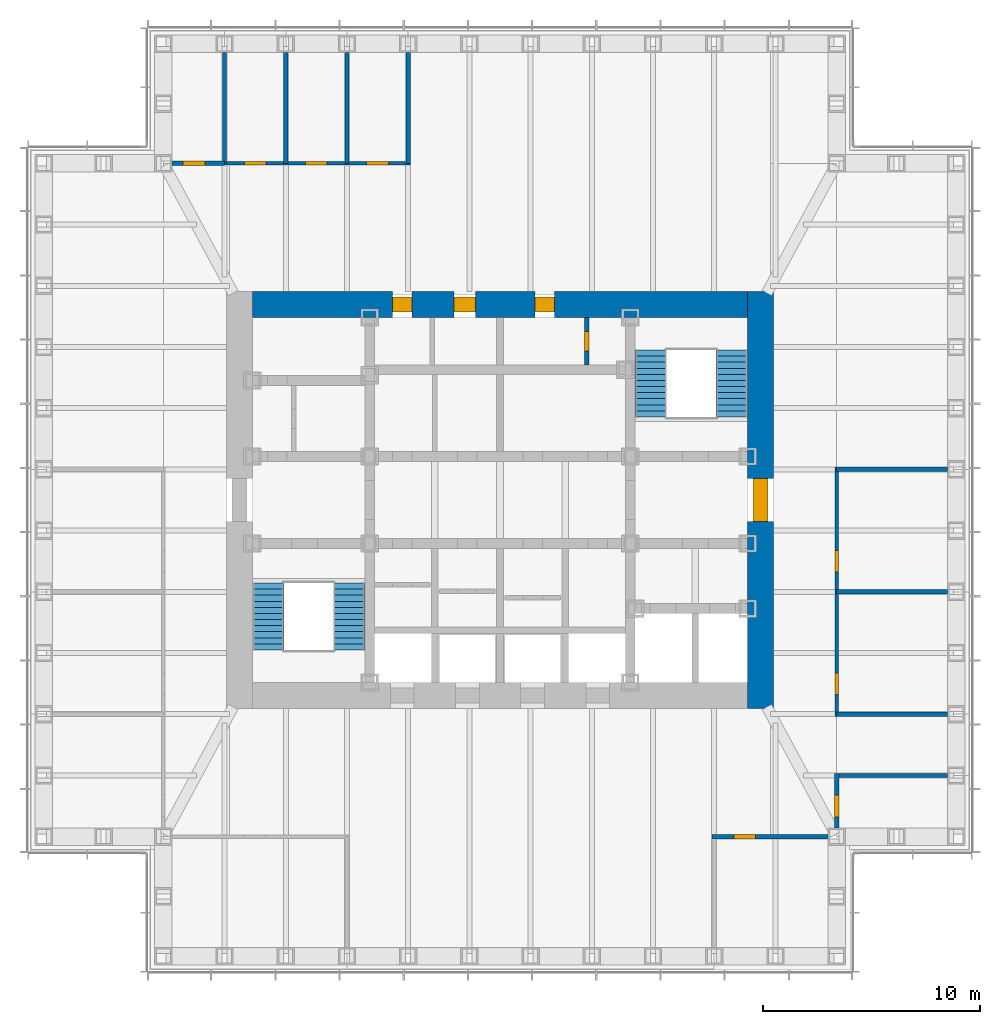
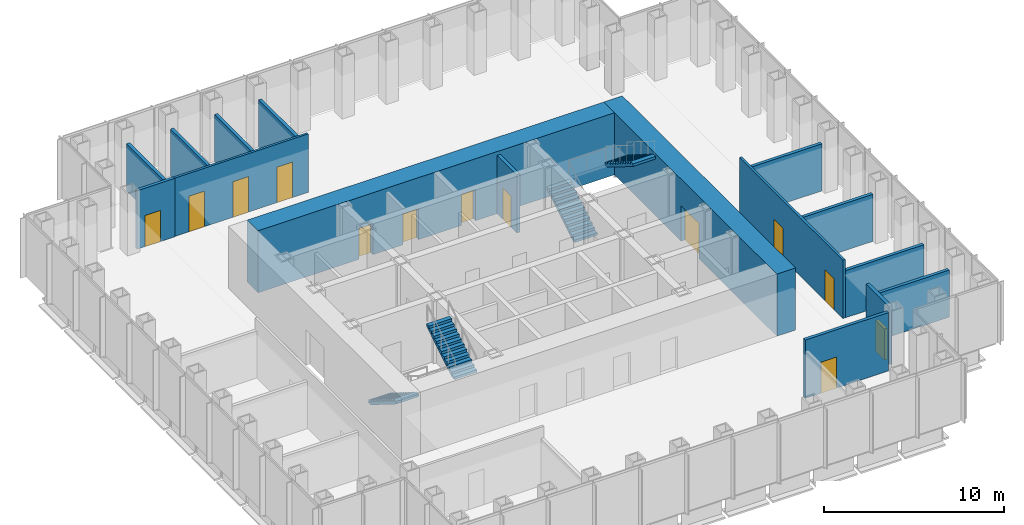
# One storey, part 10 of 16: 16 walls, 13 doors, 4 stair flights, 13 openings, 2 elements without a shape of their own.
"""IFC4 building model written with IfcOpenShell, lengths in metres."""

from ifc_helpers import new_model, si_unit, direction, frame, frame_2d, origin, place, context, subcontext, project, spatial, polyline, rectangle, outline, extrude, material, layer, layer_set, type_object, element, fill, aggregate, save


model = new_model("IFC4")

# Units and contexts
model_context = context("Model", 3, precision=1e-05, world=origin(), true_north=direction((0.0, 1.0)))
body_context = subcontext(model_context, "Body", "Model", "MODEL_VIEW")
ifc_project = project(units=[si_unit("LENGTHUNIT", "METRE"), si_unit("AREAUNIT", "SQUARE_METRE"), si_unit("VOLUMEUNIT", "CUBIC_METRE"), si_unit("PLANEANGLEUNIT", "RADIAN"), si_unit("MASSUNIT", "GRAM", prefix="KILO")], contexts=[model_context])

# Site, building, storey
site_placement = place(None, origin())
site = spatial("IfcSite", under=ifc_project, at=site_placement, CompositionType="ELEMENT")
building_placement = place(site_placement, origin())
building = spatial("IfcBuilding", under=site, at=building_placement, Name="Daluyong Arena Tower", CompositionType="ELEMENT")
storey_placement = place(building_placement, frame((0.0, 0.0, 240.10009765625)))
storey = spatial("IfcBuildingStorey", under=building, at=storey_placement, Name="L54", CompositionType="ELEMENT", Elevation=240.10009765625)

# Wall, opening, door
ifc_material_1 = material(Name="Concrete fc' 60 MPa", Category="concrete")
ifc_layer_1 = layer(ifc_material_1, 1.199951171875)
ifc_layer_set_1 = layer_set([ifc_layer_1], Name="Concrete fc' 60 MPa")
wall_type_1 = type_object("IfcWallType", Name="Core wall 1200", PredefinedType="SHEAR", material=ifc_layer_set_1)
wall_1_placement = place(storey_placement, frame((68.0, 70.39990234375, 0.0), z_axis=(0.0, 0.0, 1.0), x_axis=(0.0, 1.0, 0.0)))
wall_1 = element("IfcWall", 1, at=wall_1_placement, inside=storey, type_object=wall_type_1, Name="core wall at L54", PredefinedType="SHEAR", context=body_context, shape_type="SweptSolid", body=[
    extrude(rectangle(XDim=19.2001953125, YDim=1.199951171875, at=frame_2d((9.60009765625, 0.0))), origin(), (0.0, 0.0, 1.0), 4.199951171875),
])
opening_1_placement = place(wall_1_placement, frame((8.60009765625, 0.0, 0.0)))
opening_1 = element("IfcOpeningElement", 2, at=opening_1_placement, cuts=wall_1, Name="Opening 54022", PredefinedType="OPENING", context=body_context, shape_type="SweptSolid", body=[
    extrude(rectangle(XDim=2.0, YDim=2.39990234375, at=frame_2d((1.0, 1.199951171875))), frame((0.0, 0.60986328125, 0.0), z_axis=(0.0, -1.0, 0.0), x_axis=(1.0, 0.0, 0.0)), (0.0, 0.0, 1.0), 1.219970703125),
])
ifc_material_2 = material(Name="Steel door, fire rated", Category="steel")
door_type_1 = type_object("IfcDoorType", Name="Core lobby double door 2000", OperationType="DOUBLE_DOOR_SINGLE_SWING", PredefinedType="DOOR", material=ifc_material_2)
door_1_placement = place(opening_1_placement, origin())
door_1 = element("IfcDoor", 3, at=door_1_placement, inside=storey, type_object=door_type_1, Name="core lobby door east 54022", OperationType="DOUBLE_DOOR_SINGLE_SWING", OverallHeight=2.39990234375, OverallWidth=2.0, PredefinedType="DOOR", context=body_context, shape_type="SweptSolid", body=[
    extrude(rectangle(XDim=2.0, YDim=2.39990234375, at=frame_2d((1.0, 1.199951171875))), frame((0.0, 0.35009765625, 0.0), z_axis=(0.0, -1.0, 0.0), x_axis=(1.0, 0.0, 0.0)), (0.0, 0.0, 1.0), 0.699951171875),
])
fill(opening_1, door_1)

# Wall, openings, doors
wall_2_placement = place(storey_placement, frame((44.60009765625, 89.0, 0.0), z_axis=(0.0, 0.0, 1.0), x_axis=(1.0, 0.0, 0.0)))
wall_2 = element("IfcWall", 4, at=wall_2_placement, inside=storey, type_object=wall_type_1, Name="core wall at L54", PredefinedType="SHEAR", context=body_context, shape_type="SweptSolid", body=[
    extrude(rectangle(XDim=22.7998046875, YDim=1.199951171875, at=frame_2d((11.39990234375, 0.0))), origin(), (0.0, 0.0, 1.0), 4.199951171875),
])
opening_2_placement = place(wall_2_placement, frame((9.27490234375, 0.0, 0.0)))
opening_2 = element("IfcOpeningElement", 5, at=opening_2_placement, cuts=wall_2, Name="Opening 54004", PredefinedType="OPENING", context=body_context, shape_type="SweptSolid", body=[
    extrude(rectangle(XDim=1.0, YDim=2.10009765625, at=frame_2d((0.5, 1.050048828125))), frame((0.0, 0.60986328125, 0.0), z_axis=(0.0, -1.0, 0.0), x_axis=(1.0, 0.0, 0.0)), (0.0, 0.0, 1.0), 1.219970703125),
])
opening_3_placement = place(wall_2_placement, frame((6.449951171875, 0.0, 0.0)))
opening_3 = element("IfcOpeningElement", 6, at=opening_3_placement, cuts=wall_2, Name="Opening 54005", PredefinedType="OPENING", context=body_context, shape_type="SweptSolid", body=[
    extrude(rectangle(XDim=0.89990234375, YDim=2.10009765625, at=frame_2d((0.449951171875, 1.050048828125))), frame((0.0, 0.60986328125, 0.0), z_axis=(0.0, -1.0, 0.0), x_axis=(1.0, 0.0, 0.0)), (0.0, 0.0, 1.0), 1.219970703125),
])
opening_4_placement = place(wall_2_placement, frame((13.012451171875, 0.0, 0.0)))
opening_4 = element("IfcOpeningElement", 7, at=opening_4_placement, cuts=wall_2, Name="Opening 54006", PredefinedType="OPENING", context=body_context, shape_type="SweptSolid", body=[
    extrude(rectangle(XDim=0.89990234375, YDim=2.10009765625, at=frame_2d((0.449951171875, 1.050048828125))), frame((0.0, 0.60986328125, 0.0), z_axis=(0.0, -1.0, 0.0), x_axis=(1.0, 0.0, 0.0)), (0.0, 0.0, 1.0), 1.219970703125),
])
ifc_material_3 = material(Name="Timber door", Category="wood")
door_type_2 = type_object("IfcDoorType", Name="Accessible toilet door 1000", OperationType="SINGLE_SWING_LEFT", PredefinedType="DOOR", material=ifc_material_3)
door_2_placement = place(opening_2_placement, origin())
door_2 = element("IfcDoor", 8, at=door_2_placement, inside=storey, type_object=door_type_2, Name="accessible toilet door 54004", OperationType="SINGLE_SWING_LEFT", OverallHeight=2.10009765625, OverallWidth=1.0, PredefinedType="DOOR", context=body_context, shape_type="SweptSolid", body=[
    extrude(rectangle(XDim=1.0, YDim=2.10009765625, at=frame_2d((0.5, 1.050048828125))), frame((0.0, 0.35009765625, 0.0), z_axis=(0.0, -1.0, 0.0), x_axis=(1.0, 0.0, 0.0)), (0.0, 0.0, 1.0), 0.699951171875),
])
fill(opening_2, door_2)
ifc_material_4 = material(Name="Steel door, fire rated", Category="steel")
door_type_3 = type_object("IfcDoorType", Name="Core room door 900", OperationType="SINGLE_SWING_LEFT", PredefinedType="DOOR", material=ifc_material_4)
door_3_placement = place(opening_3_placement, origin())
door_3 = element("IfcDoor", 9, at=door_3_placement, inside=storey, type_object=door_type_3, Name="tea point door 54005", OperationType="SINGLE_SWING_LEFT", OverallHeight=2.10009765625, OverallWidth=0.89990234375, PredefinedType="DOOR", context=body_context, shape_type="SweptSolid", body=[
    extrude(rectangle(XDim=0.89990234375, YDim=2.10009765625, at=frame_2d((0.449951171875, 1.050048828125))), frame((0.0, 0.35009765625, 0.0), z_axis=(0.0, -1.0, 0.0), x_axis=(1.0, 0.0, 0.0)), (0.0, 0.0, 1.0), 0.699951171875),
])
fill(opening_3, door_3)
ifc_material_5 = material(Name="Steel door, fire rated", Category="steel")
door_type_4 = type_object("IfcDoorType", Name="Core store door 900", OperationType="SINGLE_SWING_LEFT", PredefinedType="DOOR", material=ifc_material_5)
door_4_placement = place(opening_4_placement, origin())
door_4 = element("IfcDoor", 10, at=door_4_placement, inside=storey, type_object=door_type_4, Name="furniture store door 54006", OperationType="SINGLE_SWING_LEFT", OverallHeight=2.10009765625, OverallWidth=0.89990234375, PredefinedType="DOOR", context=body_context, shape_type="SweptSolid", body=[
    extrude(rectangle(XDim=0.89990234375, YDim=2.10009765625, at=frame_2d((0.449951171875, 1.050048828125))), frame((0.0, 0.35009765625, 0.0), z_axis=(0.0, -1.0, 0.0), x_axis=(1.0, 0.0, 0.0)), (0.0, 0.0, 1.0), 0.699951171875),
])
fill(opening_4, door_4)

# Wall, opening, door
ifc_material_6 = material(Name="Concrete block partition, fire rated", Category="concrete")
ifc_layer_2 = layer(ifc_material_6, 0.199951171875)
ifc_layer_set_2 = layer_set([ifc_layer_2], Name="Concrete block partition, fire rated")
wall_type_2 = type_object("IfcWallType", Name="Fire-rated partition 200", PredefinedType="PARTITIONING", material=ifc_layer_set_2)
wall_3_placement = place(storey_placement, frame((60.0, 86.22509765625, 0.0), z_axis=(0.0, 0.0, 1.0), x_axis=(0.0, 1.0, 0.0)))
wall_3 = element("IfcWall", 11, at=wall_3_placement, inside=storey, type_object=wall_type_2, Name="electrical riser enclosure at L54", PredefinedType="PARTITIONING", context=body_context, shape_type="SweptSolid", body=[
    extrude(rectangle(XDim=2.1748046875, YDim=0.199951171875, at=frame_2d((1.08740234375, 0.0))), origin(), (0.0, 0.0, 1.0), 3.949951171875),
])
opening_5_placement = place(wall_3_placement, frame((0.637451171875, 0.0, 0.0)))
opening_5 = element("IfcOpeningElement", 12, at=opening_5_placement, cuts=wall_3, Name="Opening 54007", PredefinedType="OPENING", context=body_context, shape_type="SweptSolid", body=[
    extrude(rectangle(XDim=0.89990234375, YDim=2.10009765625, at=frame_2d((0.449951171875, 1.050048828125))), frame((0.0, 0.10986328125, 0.0), z_axis=(0.0, -1.0, 0.0), x_axis=(1.0, 0.0, 0.0)), (0.0, 0.0, 1.0), 0.219970703125),
])
ifc_material_7 = material(Name="Steel door, fire rated", Category="steel")
door_type_5 = type_object("IfcDoorType", Name="Riser door 900", OperationType="SINGLE_SWING_LEFT", PredefinedType="DOOR", material=ifc_material_7)
door_5_placement = place(opening_5_placement, origin())
door_5 = element("IfcDoor", 13, at=door_5_placement, inside=storey, type_object=door_type_5, Name="riser door 54007", OperationType="SINGLE_SWING_LEFT", OverallHeight=2.10009765625, OverallWidth=0.89990234375, PredefinedType="DOOR", context=body_context, shape_type="SweptSolid", body=[
    extrude(rectangle(XDim=0.89990234375, YDim=2.10009765625, at=frame_2d((0.449951171875, 1.050048828125))), frame((0.0, 0.099609375, 0.0), z_axis=(0.0, -1.0, 0.0), x_axis=(1.0, 0.0, 0.0)), (0.0, 0.0, 1.0), 0.199462890625),
])
fill(opening_5, door_5)

# Wall, openings, doors
ifc_material_8 = material(Name="Glazed aluminium partition", Category="aluminium")
ifc_layer_3 = layer(ifc_material_8, 0.14990234375)
ifc_layer_set_3 = layer_set([ifc_layer_3], Name="Glazed aluminium partition")
wall_type_3 = type_object("IfcWallType", Name="Glazed partition 150", PredefinedType="PARTITIONING", material=ifc_layer_set_3)
wall_4_placement = place(storey_placement, frame((43.318115234375, 95.5, 0.0), z_axis=(0.0, 0.0, 1.0), x_axis=(1.0, 0.0, 0.0)))
wall_4 = element("IfcWall", 14, at=wall_4_placement, inside=storey, type_object=wall_type_3, Name="glazed partition at L54", PredefinedType="PARTITIONING", context=body_context, shape_type="SweptSolid", body=[
    extrude(rectangle(XDim=8.5546875, YDim=0.14990234375, at=frame_2d((4.27734375, 0.0))), origin(), (0.0, 0.0, 1.0), 3.949951171875),
])
opening_6_placement = place(wall_4_placement, frame((0.9091796875, 0.0, 0.0)))
opening_6 = element("IfcOpeningElement", 15, at=opening_6_placement, cuts=wall_4, Name="Opening 54038", PredefinedType="OPENING", context=body_context, shape_type="SweptSolid", body=[
    extrude(rectangle(XDim=1.0, YDim=2.39990234375, at=frame_2d((0.5, 1.199951171875))), frame((0.0, 0.0849609375, 0.0), z_axis=(0.0, -1.0, 0.0), x_axis=(1.0, 0.0, 0.0)), (0.0, 0.0, 1.0), 0.169921875),
])
opening_7_placement = place(wall_4_placement, frame((3.727294921875, 0.0, 0.0)))
opening_7 = element("IfcOpeningElement", 16, at=opening_7_placement, cuts=wall_4, Name="Opening 54039", PredefinedType="OPENING", context=body_context, shape_type="SweptSolid", body=[
    extrude(rectangle(XDim=1.0, YDim=2.39990234375, at=frame_2d((0.5, 1.199951171875))), frame((0.0, 0.0849609375, 0.0), z_axis=(0.0, -1.0, 0.0), x_axis=(1.0, 0.0, 0.0)), (0.0, 0.0, 1.0), 0.169921875),
])
opening_8_placement = place(wall_4_placement, frame((6.54541015625, 0.0, 0.0)))
opening_8 = element("IfcOpeningElement", 17, at=opening_8_placement, cuts=wall_4, Name="Opening 54040", PredefinedType="OPENING", context=body_context, shape_type="SweptSolid", body=[
    extrude(rectangle(XDim=1.0, YDim=2.39990234375, at=frame_2d((0.5, 1.199951171875))), frame((0.0, 0.0849609375, 0.0), z_axis=(0.0, -1.0, 0.0), x_axis=(1.0, 0.0, 0.0)), (0.0, 0.0, 1.0), 0.169921875),
])
ifc_material_9 = material(Name="Glazed aluminium door", Category="aluminium")
door_type_6 = type_object("IfcDoorType", Name="Meeting room glazed door 1000", OperationType="SINGLE_SWING_RIGHT", PredefinedType="DOOR", material=ifc_material_9)
door_6_placement = place(opening_6_placement, origin())
door_6 = element("IfcDoor", 18, at=door_6_placement, inside=storey, type_object=door_type_6, Name="focus room door 54038", OperationType="SINGLE_SWING_RIGHT", OverallHeight=2.39990234375, OverallWidth=1.0, PredefinedType="DOOR", context=body_context, shape_type="SweptSolid", body=[
    extrude(rectangle(XDim=1.0, YDim=2.39990234375, at=frame_2d((0.5, 1.199951171875))), frame((0.0, 0.07470703125, 0.0), z_axis=(0.0, -1.0, 0.0), x_axis=(1.0, 0.0, 0.0)), (0.0, 0.0, 1.0), 0.1494140625),
])
fill(opening_6, door_6)
door_7_placement = place(opening_7_placement, origin())
door_7 = element("IfcDoor", 19, at=door_7_placement, inside=storey, type_object=door_type_6, Name="focus room door 54039", OperationType="SINGLE_SWING_RIGHT", OverallHeight=2.39990234375, OverallWidth=1.0, PredefinedType="DOOR", context=body_context, shape_type="SweptSolid", body=[
    extrude(rectangle(XDim=1.0, YDim=2.39990234375, at=frame_2d((0.5, 1.199951171875))), frame((0.0, 0.07470703125, 0.0), z_axis=(0.0, -1.0, 0.0), x_axis=(1.0, 0.0, 0.0)), (0.0, 0.0, 1.0), 0.1494140625),
])
fill(opening_7, door_7)
door_8_placement = place(opening_8_placement, origin())
door_8 = element("IfcDoor", 20, at=door_8_placement, inside=storey, type_object=door_type_6, Name="focus room door 54040", OperationType="SINGLE_SWING_RIGHT", OverallHeight=2.39990234375, OverallWidth=1.0, PredefinedType="DOOR", context=body_context, shape_type="SweptSolid", body=[
    extrude(rectangle(XDim=1.0, YDim=2.39990234375, at=frame_2d((0.5, 1.199951171875))), frame((0.0, 0.07470703125, 0.0), z_axis=(0.0, -1.0, 0.0), x_axis=(1.0, 0.0, 0.0)), (0.0, 0.0, 1.0), 0.1494140625),
])
fill(opening_8, door_8)

wall_5_placement = place(storey_placement, frame((71.5, 70.036376953125, 0.0), z_axis=(0.0, 0.0, 1.0), x_axis=(0.0, 1.0, 0.0)))
wall_5 = element("IfcWall", 21, at=wall_5_placement, inside=storey, type_object=wall_type_3, Name="glazed partition at L54", PredefinedType="PARTITIONING", context=body_context, shape_type="SweptSolid", body=[
    extrude(rectangle(XDim=11.47265625, YDim=0.14990234375, at=frame_2d((5.736328125, 0.0))), origin(), (0.0, 0.0, 1.0), 3.949951171875),
])
opening_9_placement = place(wall_5_placement, frame((1.009033203125, 0.0, 0.0)))
opening_9 = element("IfcOpeningElement", 22, at=opening_9_placement, cuts=wall_5, Name="Opening 54035", PredefinedType="OPENING", context=body_context, shape_type="SweptSolid", body=[
    extrude(rectangle(XDim=1.0, YDim=2.10009765625, at=frame_2d((0.5, 1.050048828125))), frame((0.0, 0.0849609375, 0.0), z_axis=(0.0, -1.0, 0.0), x_axis=(1.0, 0.0, 0.0)), (0.0, 0.0, 1.0), 0.169921875),
])
opening_10_placement = place(wall_5_placement, frame((6.6455078125, 0.0, 0.0)))
opening_10 = element("IfcOpeningElement", 23, at=opening_10_placement, cuts=wall_5, Name="Opening 54036", PredefinedType="OPENING", context=body_context, shape_type="SweptSolid", body=[
    extrude(rectangle(XDim=1.0, YDim=2.10009765625, at=frame_2d((0.5, 1.050048828125))), frame((0.0, 0.0849609375, 0.0), z_axis=(0.0, -1.0, 0.0), x_axis=(1.0, 0.0, 0.0)), (0.0, 0.0, 1.0), 0.169921875),
])
ifc_material_10 = material(Name="Timber door", Category="wood")
door_type_7 = type_object("IfcDoorType", Name="Room door 1000", OperationType="SINGLE_SWING_LEFT", PredefinedType="DOOR", material=ifc_material_10)
door_9_placement = place(opening_9_placement, origin())
door_9 = element("IfcDoor", 24, at=door_9_placement, inside=storey, type_object=door_type_7, Name="executive office door 54035", OperationType="SINGLE_SWING_LEFT", OverallHeight=2.10009765625, OverallWidth=1.0, PredefinedType="DOOR", context=body_context, shape_type="SweptSolid", body=[
    extrude(rectangle(XDim=1.0, YDim=2.10009765625, at=frame_2d((0.5, 1.050048828125))), frame((0.0, 0.07470703125, 0.0), z_axis=(0.0, -1.0, 0.0), x_axis=(1.0, 0.0, 0.0)), (0.0, 0.0, 1.0), 0.1494140625),
])
fill(opening_9, door_9)
door_10_placement = place(opening_10_placement, origin())
door_10 = element("IfcDoor", 25, at=door_10_placement, inside=storey, type_object=door_type_7, Name="executive office door 54036", OperationType="SINGLE_SWING_LEFT", OverallHeight=2.10009765625, OverallWidth=1.0, PredefinedType="DOOR", context=body_context, shape_type="SweptSolid", body=[
    extrude(rectangle(XDim=1.0, YDim=2.10009765625, at=frame_2d((0.5, 1.050048828125))), frame((0.0, 0.07470703125, 0.0), z_axis=(0.0, -1.0, 0.0), x_axis=(1.0, 0.0, 0.0)), (0.0, 0.0, 1.0), 0.1494140625),
])
fill(opening_10, door_10)

# Walls
ifc_material_11 = material(Name="Concrete block partition", Category="concrete")
ifc_layer_4 = layer(ifc_material_11, 0.199951171875)
ifc_layer_set_4 = layer_set([ifc_layer_4], Name="Concrete block partition")
wall_type_4 = type_object("IfcWallType", Name="Partition 200", PredefinedType="PARTITIONING", material=ifc_layer_set_4)
for number, where, z_axis, x_axis, name in (
    (26, (71.5, 67.318115234375, 0.0), (0.0, 0.0, 1.0), (1.0, 0.0, 0.0), "partition at L54"),
    (27, (71.5, 70.136474609375, 0.0), (0.0, 0.0, 1.0), (1.0, 0.0, 0.0), "partition at L54"),
    (28, (71.5, 75.772705078125, 0.0), (0.0, 0.0, 1.0), (1.0, 0.0, 0.0), "partition at L54"),
    (29, (71.5, 81.4091796875, 0.0), (0.0, 0.0, 1.0), (1.0, 0.0, 0.0), "partition at L54"),
    (30, (43.318115234375, 95.5, 0.0), (0.0, 0.0, 1.0), (0.0, 1.0, 0.0), "partition at L54"),
    (31, (46.136474609375, 95.5, 0.0), (0.0, 0.0, 1.0), (0.0, 1.0, 0.0), "partition at L54"),
    (32, (48.95458984375, 95.5, 0.0), (0.0, 0.0, 1.0), (0.0, 1.0, 0.0), "partition at L54"),
    (33, (51.772705078125, 95.5, 0.0), (0.0, 0.0, 1.0), (0.0, 1.0, 0.0), "partition at L54"),
):
    element("IfcWall", number, at=place(storey_placement, frame(where, z_axis=z_axis, x_axis=x_axis)), inside=storey, type_object=wall_type_4, Name=name, PredefinedType="PARTITIONING", context=body_context, shape_type="SweptSolid", body=[
        extrude(rectangle(XDim=5.10009765625, YDim=0.199951171875, at=frame_2d((2.550048828125, 0.0))), origin(), (0.0, 0.0, 1.0), 3.18798828125),
    ])

# Wall, opening, door
wall_6_placement = place(storey_placement, frame((65.763671875, 64.5, 0.0), z_axis=(0.0, 0.0, 1.0), x_axis=(1.0, 0.0, 0.0)))
wall_6 = element("IfcWall", 34, at=wall_6_placement, inside=storey, type_object=wall_type_4, Name="partition at L54", PredefinedType="PARTITIONING", context=body_context, shape_type="SweptSolid", body=[
    extrude(rectangle(XDim=5.33642578125, YDim=0.199951171875, at=frame_2d((2.668212890625, 0.0))), origin(), (0.0, 0.0, 1.0), 3.949951171875),
])
opening_11_placement = place(wall_6_placement, frame((1.009033203125, 0.0, 0.0)))
opening_11 = element("IfcOpeningElement", 35, at=opening_11_placement, cuts=wall_6, Name="Opening 54033", PredefinedType="OPENING", context=body_context, shape_type="SweptSolid", body=[
    extrude(rectangle(XDim=1.0, YDim=2.10009765625, at=frame_2d((0.5, 1.050048828125))), frame((0.0, 0.10986328125, 0.0), z_axis=(0.0, -1.0, 0.0), x_axis=(1.0, 0.0, 0.0)), (0.0, 0.0, 1.0), 0.219970703125),
])
door_11_placement = place(opening_11_placement, origin())
door_11 = element("IfcDoor", 36, at=door_11_placement, inside=storey, type_object=door_type_7, Name="pantry door 54033", OperationType="SINGLE_SWING_LEFT", OverallHeight=2.10009765625, OverallWidth=1.0, PredefinedType="DOOR", context=body_context, shape_type="SweptSolid", body=[
    extrude(rectangle(XDim=1.0, YDim=2.10009765625, at=frame_2d((0.5, 1.050048828125))), frame((0.0, 0.099609375, 0.0), z_axis=(0.0, -1.0, 0.0), x_axis=(1.0, 0.0, 0.0)), (0.0, 0.0, 1.0), 0.199462890625),
])
fill(opening_11, door_11)

wall_7_placement = place(storey_placement, frame((40.89990234375, 95.5, 0.0), z_axis=(0.0, 0.0, 1.0), x_axis=(1.0, 0.0, 0.0)))
wall_7 = element("IfcWall", 37, at=wall_7_placement, inside=storey, type_object=wall_type_4, Name="partition at L54", PredefinedType="PARTITIONING", context=body_context, shape_type="SweptSolid", body=[
    extrude(rectangle(XDim=2.418212890625, YDim=0.199951171875, at=frame_2d((1.208984375, 0.0))), origin(), (0.0, 0.0, 1.0), 3.949951171875),
])
opening_12_placement = place(wall_7_placement, frame((0.509033203125, 0.0, 0.0)))
opening_12 = element("IfcOpeningElement", 38, at=opening_12_placement, cuts=wall_7, Name="Opening 54037", PredefinedType="OPENING", context=body_context, shape_type="SweptSolid", body=[
    extrude(rectangle(XDim=1.0, YDim=2.10009765625, at=frame_2d((0.5, 1.050048828125))), frame((0.0, 0.10986328125, 0.0), z_axis=(0.0, -1.0, 0.0), x_axis=(1.0, 0.0, 0.0)), (0.0, 0.0, 1.0), 0.219970703125),
])
door_12_placement = place(opening_12_placement, origin())
door_12 = element("IfcDoor", 39, at=door_12_placement, inside=storey, type_object=door_type_7, Name="wellness room door 54037", OperationType="SINGLE_SWING_LEFT", OverallHeight=2.10009765625, OverallWidth=1.0, PredefinedType="DOOR", context=body_context, shape_type="SweptSolid", body=[
    extrude(rectangle(XDim=1.0, YDim=2.10009765625, at=frame_2d((0.5, 1.050048828125))), frame((0.0, 0.099609375, 0.0), z_axis=(0.0, -1.0, 0.0), x_axis=(1.0, 0.0, 0.0)), (0.0, 0.0, 1.0), 0.199462890625),
])
fill(opening_12, door_12)

wall_8_placement = place(storey_placement, frame((71.5, 64.89990234375, 0.0), z_axis=(0.0, 0.0, 1.0), x_axis=(0.0, 1.0, 0.0)))
wall_8 = element("IfcWall", 40, at=wall_8_placement, inside=storey, type_object=wall_type_4, Name="partition at L54", PredefinedType="PARTITIONING", context=body_context, shape_type="SweptSolid", body=[
    extrude(rectangle(XDim=2.518310546875, YDim=0.199951171875, at=frame_2d((1.25927734375, 0.0))), origin(), (0.0, 0.0, 1.0), 3.949951171875),
])
opening_13_placement = place(wall_8_placement, frame((0.509033203125, 0.0, 0.0)))
opening_13 = element("IfcOpeningElement", 41, at=opening_13_placement, cuts=wall_8, Name="Opening 54034", PredefinedType="OPENING", context=body_context, shape_type="SweptSolid", body=[
    extrude(rectangle(XDim=1.0, YDim=2.10009765625, at=frame_2d((0.5, 1.050048828125))), frame((0.0, 0.10986328125, 0.0), z_axis=(0.0, -1.0, 0.0), x_axis=(1.0, 0.0, 0.0)), (0.0, 0.0, 1.0), 0.219970703125),
])
door_13_placement = place(opening_13_placement, origin())
door_13 = element("IfcDoor", 42, at=door_13_placement, inside=storey, type_object=door_type_7, Name="wellness room door 54034", OperationType="SINGLE_SWING_LEFT", OverallHeight=2.10009765625, OverallWidth=1.0, PredefinedType="DOOR", context=body_context, shape_type="SweptSolid", body=[
    extrude(rectangle(XDim=1.0, YDim=2.10009765625, at=frame_2d((0.5, 1.050048828125))), frame((0.0, 0.099609375, 0.0), z_axis=(0.0, -1.0, 0.0), x_axis=(1.0, 0.0, 0.0)), (0.0, 0.0, 1.0), 0.199462890625),
])
fill(opening_13, door_13)

# Stair, stair flights
ifc_material_12 = material(Name="Concrete fc' 35 MPa", Category="concrete")
stair_type = type_object("IfcStairType", Name="Core exit stair", PredefinedType="HALF_TURN_STAIR", material=ifc_material_12)
stair_1_placement = place(storey_placement, origin())
stair_1 = element("IfcStair", 43, at=stair_1_placement, inside=storey, type_object=stair_type, Name="exit stair A L54", PredefinedType="HALF_TURN_STAIR")
ifc_material_13 = material(Name="Concrete fc' 35 MPa", Category="concrete")
stair_flight_type = type_object("IfcStairFlightType", Name="Core stair flight", PredefinedType="STRAIGHT", material=ifc_material_13)
stair_flight_1_placement = place(storey_placement, frame((45.324951171875, 76.175048828125, 0.0), z_axis=(0.0, 0.0, 1.0), x_axis=(0.0, -1.0, 0.0)))
stair_flight_1 = element("IfcStairFlight", 44, at=stair_flight_1_placement, type_object=stair_flight_type, Name="STA flight 1", NumberOfRisers=12, NumberOfTreads=11, PredefinedType="STRAIGHT", RiserHeight=0.175, TreadLength=0.28, context=body_context, shape_type="SweptSolid", body=[
    extrude(outline(polyline([(0.0, 0.0), (0.0, 0.175048828125), (0.280029296875, 0.175048828125), (0.280029296875, 0.35009765625), (0.56005859375, 0.35009765625), (0.56005859375, 0.52490234375), (0.840087890625, 0.52490234375), (0.840087890625, 0.699951171875), (1.1201171875, 0.699951171875), (1.1201171875, 0.875), (1.39990234375, 0.875), (1.39990234375, 1.050048828125), (1.679931640625, 1.050048828125), (1.679931640625, 1.22509765625), (1.9599609375, 1.22509765625), (1.9599609375, 1.39990234375), (2.239990234375, 1.39990234375), (2.239990234375, 1.574951171875), (2.52001953125, 1.574951171875), (2.52001953125, 1.75), (2.800048828125, 1.75), (2.800048828125, 1.925048828125), (3.080078125, 1.925048828125), (3.080078125, 2.10009765625), (3.080078125, 1.748291015625), (0.28271484375, 0.0), (0.0, 0.0)])), frame((0.0, 0.72509765625, 0.0), z_axis=(0.0, -1.0, 0.0), x_axis=(1.0, 0.0, 0.0)), (0.0, 0.0, 1.0), 1.449951171875),
])
stair_flight_2_placement = place(storey_placement, frame((49.050048828125, 73.094970703125, 2.099853515625), z_axis=(0.0, 0.0, 1.0), x_axis=(0.0, 1.0, 0.0)))
stair_flight_2 = element("IfcStairFlight", 45, at=stair_flight_2_placement, type_object=stair_flight_type, Name="STA flight 2", NumberOfRisers=12, NumberOfTreads=11, PredefinedType="STRAIGHT", RiserHeight=0.175, TreadLength=0.28, context=body_context, shape_type="SweptSolid", body=[
    extrude(outline(polyline([(0.0, 0.0), (0.0, 0.175048828125), (0.280029296875, 0.175048828125), (0.280029296875, 0.35009765625), (0.56005859375, 0.35009765625), (0.56005859375, 0.52490234375), (0.840087890625, 0.52490234375), (0.840087890625, 0.699951171875), (1.1201171875, 0.699951171875), (1.1201171875, 0.875), (1.39990234375, 0.875), (1.39990234375, 1.050048828125), (1.679931640625, 1.050048828125), (1.679931640625, 1.22509765625), (1.9599609375, 1.22509765625), (1.9599609375, 1.39990234375), (2.239990234375, 1.39990234375), (2.239990234375, 1.574951171875), (2.52001953125, 1.574951171875), (2.52001953125, 1.75), (2.800048828125, 1.75), (2.800048828125, 1.925048828125), (3.080078125, 1.925048828125), (3.080078125, 2.10009765625), (3.080078125, 1.748291015625), (0.28271484375, 0.0), (0.0, 0.0)])), frame((0.0, 0.72509765625, 0.0), z_axis=(0.0, -1.0, 0.0), x_axis=(1.0, 0.0, 0.0)), (0.0, 0.0, 1.0), 1.449951171875),
])
aggregate(stair_1, [stair_flight_1, stair_flight_2])

stair_2_placement = place(storey_placement, origin())
stair_2 = element("IfcStair", 46, at=stair_2_placement, inside=storey, type_object=stair_type, Name="exit stair B L54", PredefinedType="HALF_TURN_STAIR")
stair_flight_3_placement = place(storey_placement, frame((62.949951171875, 83.824951171875, 0.0), z_axis=(0.0, 0.0, 1.0), x_axis=(0.0, 1.0, 0.0)))
stair_flight_3 = element("IfcStairFlight", 47, at=stair_flight_3_placement, type_object=stair_flight_type, Name="STB flight 1", NumberOfRisers=12, NumberOfTreads=11, PredefinedType="STRAIGHT", RiserHeight=0.175, TreadLength=0.28, context=body_context, shape_type="SweptSolid", body=[
    extrude(outline(polyline([(0.0, 0.0), (0.0, 0.175048828125), (0.280029296875, 0.175048828125), (0.280029296875, 0.35009765625), (0.56005859375, 0.35009765625), (0.56005859375, 0.52490234375), (0.840087890625, 0.52490234375), (0.840087890625, 0.699951171875), (1.1201171875, 0.699951171875), (1.1201171875, 0.875), (1.39990234375, 0.875), (1.39990234375, 1.050048828125), (1.679931640625, 1.050048828125), (1.679931640625, 1.22509765625), (1.9599609375, 1.22509765625), (1.9599609375, 1.39990234375), (2.239990234375, 1.39990234375), (2.239990234375, 1.574951171875), (2.52001953125, 1.574951171875), (2.52001953125, 1.75), (2.800048828125, 1.75), (2.800048828125, 1.925048828125), (3.080078125, 1.925048828125), (3.080078125, 2.10009765625), (3.080078125, 1.748291015625), (0.28271484375, 0.0), (0.0, 0.0)])), frame((0.0, 0.72509765625, 0.0), z_axis=(0.0, -1.0, 0.0), x_axis=(1.0, 0.0, 0.0)), (0.0, 0.0, 1.0), 1.449951171875),
])
stair_flight_4_placement = place(storey_placement, frame((66.675048828125, 86.905029296875, 2.099853515625), z_axis=(0.0, 0.0, 1.0), x_axis=(0.0, -1.0, 0.0)))
stair_flight_4 = element("IfcStairFlight", 48, at=stair_flight_4_placement, type_object=stair_flight_type, Name="STB flight 2", NumberOfRisers=12, NumberOfTreads=11, PredefinedType="STRAIGHT", RiserHeight=0.175, TreadLength=0.28, context=body_context, shape_type="SweptSolid", body=[
    extrude(outline(polyline([(0.0, 0.0), (0.0, 0.175048828125), (0.280029296875, 0.175048828125), (0.280029296875, 0.35009765625), (0.56005859375, 0.35009765625), (0.56005859375, 0.52490234375), (0.840087890625, 0.52490234375), (0.840087890625, 0.699951171875), (1.1201171875, 0.699951171875), (1.1201171875, 0.875), (1.39990234375, 0.875), (1.39990234375, 1.050048828125), (1.679931640625, 1.050048828125), (1.679931640625, 1.22509765625), (1.9599609375, 1.22509765625), (1.9599609375, 1.39990234375), (2.239990234375, 1.39990234375), (2.239990234375, 1.574951171875), (2.52001953125, 1.574951171875), (2.52001953125, 1.75), (2.800048828125, 1.75), (2.800048828125, 1.925048828125), (3.080078125, 1.925048828125), (3.080078125, 2.10009765625), (3.080078125, 1.748291015625), (0.28271484375, 0.0), (0.0, 0.0)])), frame((0.0, 0.72509765625, 0.0), z_axis=(0.0, -1.0, 0.0), x_axis=(1.0, 0.0, 0.0)), (0.0, 0.0, 1.0), 1.449951171875),
])
aggregate(stair_2, [stair_flight_3, stair_flight_4])

save(model, "model.ifc")
